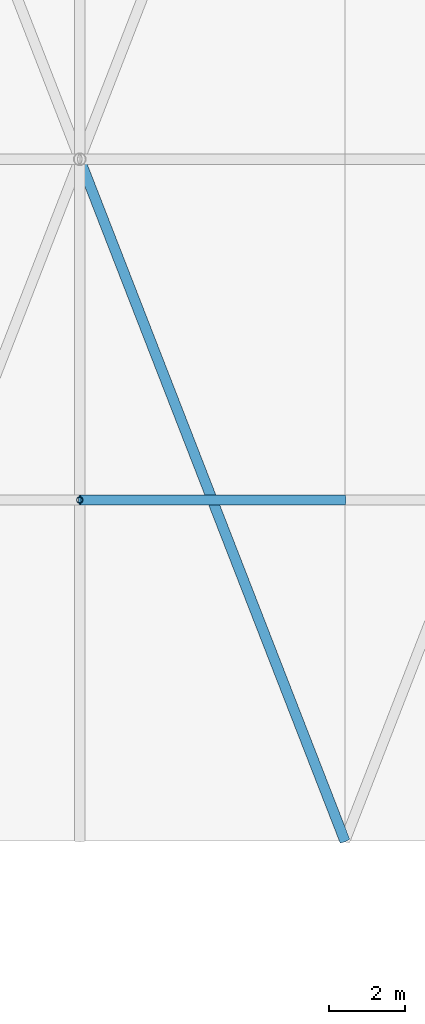
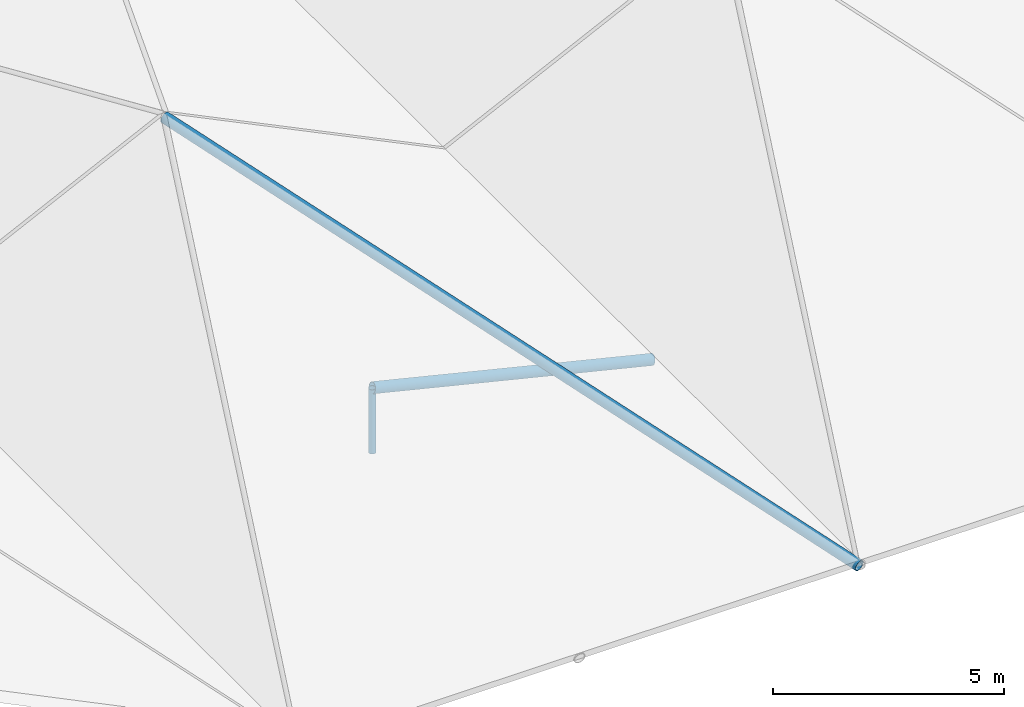
# One storey, part 4 of 93: 3 members.
"""IFC4 building model written with IfcOpenShell, lengths in metres."""

import ifcopenshell
import ifcopenshell.guid

model = None  # the IFC model being written
_history = None  # IfcOwnerHistory: only IFC2X3 demands one
_inside = {}  # id of a spatial element -> (the spatial element, [elements in it])
_under = {}  # id of a project, library or spatial element -> (it, [spatial elements below it])
_declared = {}  # id of a project -> (the project, [libraries it declares])
_typed = {}  # id of a type object -> (the type object, [elements of that type])
_made_of = {}  # id of a material, layer set ... -> (it, [elements and type objects made of it])


def new_model(schema):
    """Start an empty IFC model of exactly this schema.

    Asked for "IFC4X3", IfcOpenShell would pick the latest addendum, in which some entities
    have other attributes; the version numbers below select the first issue.
    IFC2X3 requires an IfcOwnerHistory on every rooted entity: one is made here for all.
    """
    global model, _history
    if schema == "IFC4X3":
        model = ifcopenshell.file(schema_version=(4, 3, 0, 0))
    else:
        model = ifcopenshell.file(schema=schema)
    _inside.clear()
    _under.clear()
    _declared.clear()
    _typed.clear()
    _made_of.clear()
    _history = None
    if model.schema == "IFC2X3":
        org = make("IfcOrganization", Name="unknown")
        user = make(
            "IfcPersonAndOrganization",
            ThePerson=make("IfcPerson", FamilyName="unknown"),
            TheOrganization=org,
        )
        app = make(
            "IfcApplication",
            ApplicationDeveloper=org,
            Version="unknown",
            ApplicationFullName="unknown",
            ApplicationIdentifier="unknown",
        )
        _history = make(
            "IfcOwnerHistory",
            OwningUser=user,
            OwningApplication=app,
            ChangeAction="ADDED",
            CreationDate=0,
        )
    return model


def make(cls, **values):
    """One entity of the class cls with the attributes given. An attribute that is None is left unset."""
    return model.create_entity(
        cls, **{name: value for name, value in values.items() if value is not None}
    )


def rooted(cls, **values):
    """An entity with a GlobalId (a new one), such as an element, a storey or a relation."""
    return make(cls, GlobalId=ifcopenshell.guid.new(), OwnerHistory=_history, **values)


def si_unit(unit_type, name, prefix=None):
    """IfcSIUnit, for example si_unit("LENGTHUNIT", "METRE", prefix="MILLI")."""
    return make("IfcSIUnit", UnitType=unit_type, Prefix=prefix, Name=name)


def derived_unit(unit_type, elements):
    """IfcDerivedUnit: a product of units, each with its exponent."""
    return make(
        "IfcDerivedUnit",
        Elements=[
            make("IfcDerivedUnitElement", Unit=unit, Exponent=power)
            for unit, power in elements
        ],
        UnitType=unit_type,
    )


def assignment(units):
    """IfcUnitAssignment: the units of a project."""
    return None if units is None else make("IfcUnitAssignment", Units=units)


def point(xyz):
    """IfcCartesianPoint."""
    return None if xyz is None else make("IfcCartesianPoint", Coordinates=xyz)


def direction(xyz):
    """IfcDirection."""
    return None if xyz is None else make("IfcDirection", DirectionRatios=xyz)


def frame(location, z_axis=None, x_axis=None):
    """IfcAxis2Placement3D, a coordinate frame: its origin and axes. An axis left out is left unset."""
    return make(
        "IfcAxis2Placement3D",
        Location=point(location),
        Axis=direction(z_axis),
        RefDirection=direction(x_axis),
    )


def frame_2d(location, x_axis=None):
    """IfcAxis2Placement2D, a coordinate frame in the plane: its origin and x axis."""
    return make(
        "IfcAxis2Placement2D", Location=point(location), RefDirection=direction(x_axis)
    )


def origin():
    """The frame at (0, 0, 0) with its axes left unset."""
    return frame((0.0, 0.0, 0.0))


def origin_2d_with_axis():
    """The frame at (0, 0) in the plane with the x axis (1, 0) written out."""
    return frame_2d((0.0, 0.0), x_axis=(1.0, 0.0))


def place(relative_to, where):
    """IfcLocalPlacement: puts the frame where relative to a parent placement (None: the world)."""
    return make(
        "IfcLocalPlacement", PlacementRelTo=relative_to, RelativePlacement=where
    )


def context(
    kind, dimensions, precision=None, world=None, true_north=None, identifier=None
):
    """IfcGeometricRepresentationContext, for example the 3D "Model" context."""
    return make(
        "IfcGeometricRepresentationContext",
        ContextIdentifier=identifier,
        ContextType=kind,
        CoordinateSpaceDimension=dimensions,
        Precision=precision,
        WorldCoordinateSystem=world,
        TrueNorth=true_north,
    )


def subcontext(parent, identifier, kind, view, scale=None):
    """IfcGeometricRepresentationSubContext, for example "Body" below "Model"."""
    return make(
        "IfcGeometricRepresentationSubContext",
        ContextIdentifier=identifier,
        ContextType=kind,
        ParentContext=parent,
        TargetScale=scale,
        TargetView=view,
    )


def project(units=None, contexts=None):
    """IfcProject with its units and contexts."""
    return rooted(
        "IfcProject",
        Name="project",
        RepresentationContexts=contexts,
        UnitsInContext=assignment(units),
    )


def spatial(cls, under=None, at=None, **own):
    """A site, building, storey or space (cls), placed at a placement, below another one or the project."""
    s = rooted(cls, ObjectPlacement=at, **own)
    if under is not None:
        _under.setdefault(under.id(), (under, []))[1].append(s)
    return s


def profile(cls, at=None, kind="AREA", **sizes):
    """A parametric profile (cls). Its sizes go by their IFC names, for example OverallWidth=200.0."""
    return make(cls, ProfileType=kind, Position=at, **sizes)


def hollow_circle(**sizes):
    """IfcCircleHollowProfileDef."""
    return profile("IfcCircleHollowProfileDef", **sizes)


def extrude(swept, where, along, depth):
    """IfcExtrudedAreaSolid: the profile swept, set in the frame where, extruded along a direction by depth."""
    return make(
        "IfcExtrudedAreaSolid",
        SweptArea=swept,
        Position=where,
        ExtrudedDirection=direction(along),
        Depth=depth,
    )


def shape(context_of_items, identifier, shape_type, items):
    """IfcShapeRepresentation: the items that make up one representation, for example the "Body"."""
    return make(
        "IfcShapeRepresentation",
        ContextOfItems=context_of_items,
        RepresentationIdentifier=identifier,
        RepresentationType=shape_type,
        Items=items,
    )


def material(Name=None, Category=None):
    """IfcMaterial."""
    return make("IfcMaterial", Name=Name, Category=Category)


def material_profile(
    of_material, cross_section, Name=None, Category=None, Priority=None
):
    """IfcMaterialProfile: a cross section and its material."""
    return make(
        "IfcMaterialProfile",
        Name=Name,
        Material=of_material,
        Profile=cross_section,
        Priority=Priority,
        Category=Category,
    )


def profile_set(profiles, Name=None, composite=None):
    """IfcMaterialProfileSet."""
    return make(
        "IfcMaterialProfileSet",
        Name=Name,
        MaterialProfiles=profiles,
        CompositeProfile=composite,
    )


def made_of(thing, what):
    """Note that an element or type object is made of a material, layer set ...; save() writes the relation."""
    if what is not None:
        _made_of.setdefault(what.id(), (what, []))[1].append(thing)
    return thing


def type_object(cls, material=None, **own):
    """A type object (cls), such as IfcWallType, which elements share."""
    return made_of(rooted(cls, **own), material)


def element(
    cls,
    number,
    at=None,
    inside=None,
    cuts=None,
    type_object=None,
    material=None,
    context=None,
    identifier="Body",
    shape_type=None,
    held_by="IfcProductDefinitionShape",
    body=None,
    shapes=None,
    **own,
):
    """One element of the class cls, such as IfcWall. Its Tag is "e" and its number.

    at: its placement. inside: the storey or other place that contains it. cuts: it is an
    opening in that element (IfcRelVoidsElement). A single representation is given by context,
    identifier, shape_type and body (its items); several are given by shapes. held_by: the class
    of the entity that holds the representations. save() writes the other relations.
    """
    e = rooted(cls, Tag="e%d" % number, ObjectPlacement=at, **own)
    if body is not None:
        shapes = [shape(context, identifier, shape_type, body)]
    if shapes is not None:
        e.Representation = make(held_by, Representations=shapes)
    if inside is not None:
        _inside.setdefault(inside.id(), (inside, []))[1].append(e)
    if cuts is not None:
        rooted(
            "IfcRelVoidsElement", RelatingBuildingElement=cuts, RelatedOpeningElement=e
        )
    if type_object is not None:
        _typed.setdefault(type_object.id(), (type_object, []))[1].append(e)
    return made_of(e, material)


def aggregate(whole, parts):
    """IfcRelAggregates: a whole, such as a stair, and the parts it consists of."""
    return rooted("IfcRelAggregates", RelatingObject=whole, RelatedObjects=parts)


def save(model, path):
    """Write the relations noted so far, then the file.

    IfcRelAggregates (storeys below a building ...), IfcRelContainedInSpatialStructure (elements
    in a storey), IfcRelDefinesByType, IfcRelAssociatesMaterial and IfcRelDeclares: one each for
    every whole, place, type object, material and project.
    """
    for whole, parts in _under.values():
        aggregate(whole, parts)
    for where, things in _inside.values():
        rooted(
            "IfcRelContainedInSpatialStructure",
            RelatedElements=things,
            RelatingStructure=where,
        )
    for kind, things in _typed.values():
        rooted("IfcRelDefinesByType", RelatedObjects=things, RelatingType=kind)
    for what, things in _made_of.values():
        rooted("IfcRelAssociatesMaterial", RelatedObjects=things, RelatingMaterial=what)
    for by, libraries in _declared.values():
        rooted("IfcRelDeclares", RelatingContext=by, RelatedDefinitions=libraries)
    model.write(path)


model = new_model("IFC4")

# Units and contexts
model_context = context("Model", 3, precision=1e-05, world=origin(), true_north=direction((0.0, 1.0)))
body_context = subcontext(model_context, "Body", "Model", "MODEL_VIEW")
ifc_project = project(units=[si_unit("LENGTHUNIT", "METRE"), si_unit("AREAUNIT", "SQUARE_METRE"), si_unit("VOLUMEUNIT", "CUBIC_METRE"), si_unit("PLANEANGLEUNIT", "RADIAN"), si_unit("MASSUNIT", "GRAM", prefix="KILO"), derived_unit("THERMALTRANSMITTANCEUNIT", [(si_unit("POWERUNIT", "WATT"), 1), (si_unit("LENGTHUNIT", "METRE"), -2), (si_unit("THERMODYNAMICTEMPERATUREUNIT", "KELVIN"), -1)])], contexts=[model_context])

# Site, building, storey
site_placement = place(None, origin())
site = spatial("IfcSite", under=ifc_project, at=site_placement, CompositionType="ELEMENT")
building_placement = place(site_placement, origin())
building = spatial("IfcBuilding", under=site, at=building_placement, Name="Cinnabar Yard Market Hall", CompositionType="ELEMENT")
storey_placement = place(building_placement, frame((0.0, 0.0, 23.800048828125)))
storey = spatial("IfcBuildingStorey", under=building, at=storey_placement, Name="ROOF", CompositionType="ELEMENT", Elevation=23.800048828125)

# Members
ifc_material = material(Name="Cold-formed steel C350L0", Category="steel")
ifc_material_profile_1 = material_profile(ifc_material, hollow_circle(Radius=0.136474609375, WallThickness=0.00927734375, at=origin_2d_with_axis()), Name="273.1x9.3CHS")
ifc_profile_set_1 = profile_set([ifc_material_profile_1], Name="Cold-formed steel C350L0")
member_type_1 = type_object("IfcMemberType", Name="MB-TC02", PredefinedType="CHORD", material=ifc_profile_set_1)
member_1_placement = place(storey_placement, frame((38.0, 48.0, -15.400146484375), z_axis=(-0.356956605479, 0.917888414088, 0.173386392456), x_axis=(-0.932004671541, -0.362446261155, 0.0)))
element("IfcMember", 1, at=member_1_placement, inside=storey, type_object=member_type_1, Name="Chhatri Hip Rafter CH2-2", PredefinedType="CHORD", context=body_context, shape_type="SweptSolid", body=[
    extrude(hollow_circle(Radius=0.136474609375, WallThickness=0.00927734375, at=origin_2d_with_axis()), origin(), (0.0, 0.0, 1.0), 19.610107421875),
])
member_2_placement = place(storey_placement, frame((31.0, 57.0, -13.699951171875), z_axis=(0.971747485636, 0.0, -0.23602293143), x_axis=(0.0, 1.0, 0.0)))
element("IfcMember", 2, at=member_2_placement, inside=storey, type_object=member_type_1, Name="Chhatri Rafter CH2-57B", PredefinedType="CHORD", context=body_context, shape_type="SweptSolid", body=[
    extrude(hollow_circle(Radius=0.136474609375, WallThickness=0.00927734375, at=origin_2d_with_axis()), origin(), (0.0, 0.0, 1.0), 7.20361328125),
])
ifc_material_profile_2 = material_profile(ifc_material, hollow_circle(Radius=0.084228515625, WallThickness=0.00634765625, at=origin_2d_with_axis()), Name="168.3x6.4CHS")
ifc_profile_set_2 = profile_set([ifc_material_profile_2], Name="Cold-formed steel C350L0")
member_type_2 = type_object("IfcMemberType", Name="MB-WB01", PredefinedType="STRUT", material=ifc_profile_set_2)
member_3_placement = place(storey_placement, frame((31.0, 57.0, -15.400146484375), z_axis=(0.0, 0.0, 1.0), x_axis=(1.0, 0.0, 0.0)))
element("IfcMember", 3, at=member_3_placement, inside=storey, type_object=member_type_2, Name="Chhatri Support Post CH2-57", PredefinedType="STRUT", context=body_context, shape_type="SweptSolid", body=[
    extrude(hollow_circle(Radius=0.084228515625, WallThickness=0.00634765625, at=origin_2d_with_axis()), origin(), (0.0, 0.0, 1.0), 1.7001953125),
])

save(model, "model.ifc")
